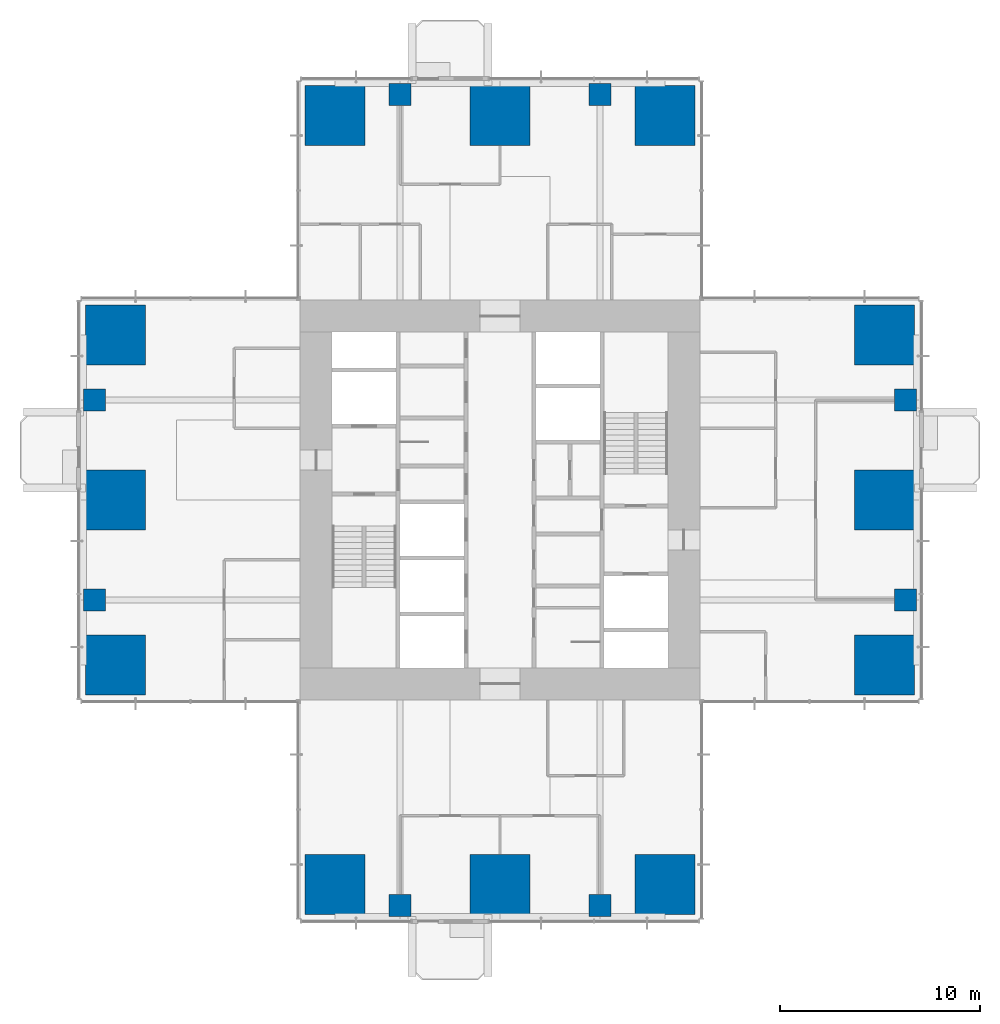
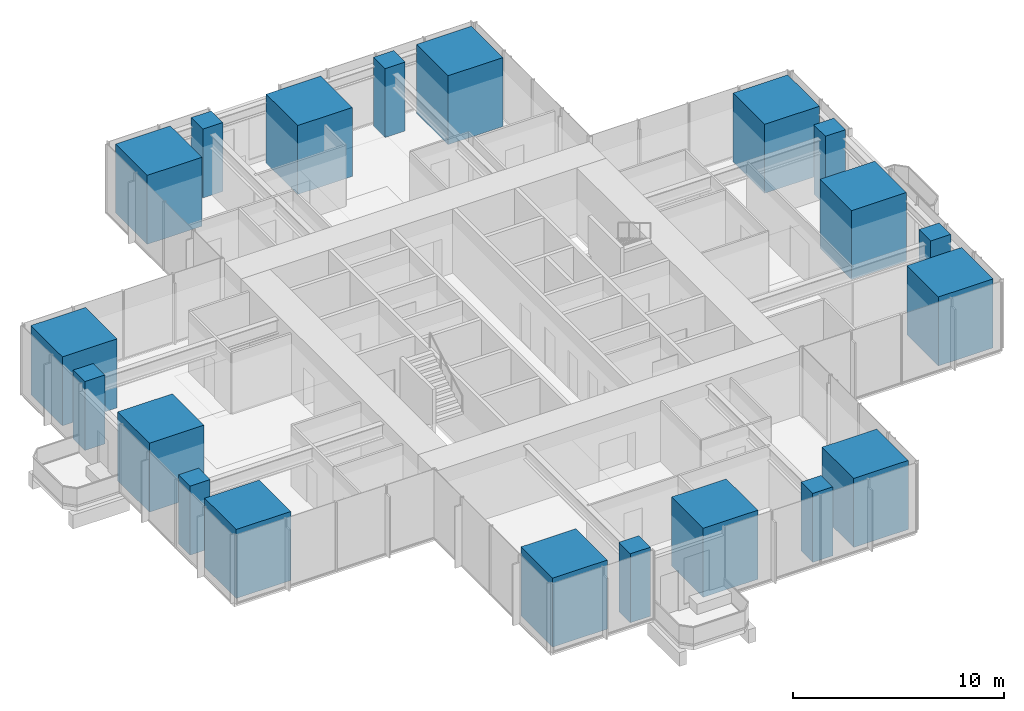
# One storey, part 1 of 13: 20 columns.
"""IFC4 building model written with IfcOpenShell, lengths in metres."""

from ifc_helpers import new_model, si_unit, direction, frame, origin, origin_2d, place, context, subcontext, project, spatial, rectangle, extrude, material, material_profile, profile_set, type_object, element, save


model = new_model("IFC4")

# Units and contexts
model_context = context("Model", 3, precision=1e-05, world=origin(), true_north=direction((0.0, 1.0)))
body_context = subcontext(model_context, "Body", "Model", "MODEL_VIEW")
ifc_project = project(units=[si_unit("LENGTHUNIT", "METRE"), si_unit("AREAUNIT", "SQUARE_METRE"), si_unit("VOLUMEUNIT", "CUBIC_METRE"), si_unit("PLANEANGLEUNIT", "RADIAN"), si_unit("MASSUNIT", "GRAM", prefix="KILO")], contexts=[model_context])

# Site, building, storey
site_placement = place(None, origin())
site = spatial("IfcSite", under=ifc_project, at=site_placement, CompositionType="ELEMENT")
building_placement = place(site_placement, origin())
building = spatial("IfcBuilding", under=site, at=building_placement, Name="Svetlomir Tower", CompositionType="ELEMENT")
storey_placement = place(building_placement, frame((0.0, 0.0, 156.5)))
storey = spatial("IfcBuildingStorey", under=building, at=storey_placement, Name="L37", CompositionType="ELEMENT", Elevation=156.5)

# Columns
ifc_material_1 = material(Name="Concrete C60/75", Category="concrete")
ifc_material_profile_1 = material_profile(ifc_material_1, rectangle(XDim=1.10009765625, YDim=1.10009765625, at=origin_2d()), Name="RC 1100x1100")
ifc_profile_set_1 = profile_set([ifc_material_profile_1], Name="Concrete C60/75")
column_type_1 = type_object("IfcColumnType", Name="COLUMN RC 1100x1100", PredefinedType="COLUMN", material=ifc_profile_set_1)
for number, where, z_axis, x_axis, name in (
    (1, (16.0, 0.699951171875, 0.0), (0.0, 0.0, 1.0), (1.0, 0.0, 0.0), "Column 16/0 L37"),
    (2, (26.0, 0.699951171875, 0.0), (0.0, 0.0, 1.0), (1.0, 0.0, 0.0), "Column 26/0 L37"),
    (3, (0.699951171875, 16.0, 0.0), (0.0, 0.0, 1.0), (1.0, 0.0, 0.0), "Column 0/16 L37"),
    (4, (41.300048828125, 16.0, 0.0), (0.0, 0.0, 1.0), (1.0, 0.0, 0.0), "Column 42/16 L37"),
    (5, (0.699951171875, 26.0, 0.0), (0.0, 0.0, 1.0), (1.0, 0.0, 0.0), "Column 0/26 L37"),
    (6, (41.300048828125, 26.0, 0.0), (0.0, 0.0, 1.0), (1.0, 0.0, 0.0), "Column 42/26 L37"),
    (7, (16.0, 41.300048828125, 0.0), (0.0, 0.0, 1.0), (1.0, 0.0, 0.0), "Column 16/42 L37"),
    (8, (26.0, 41.300048828125, 0.0), (0.0, 0.0, 1.0), (1.0, 0.0, 0.0), "Column 26/42 L37"),
):
    element("IfcColumn", number, at=place(storey_placement, frame(where, z_axis=z_axis, x_axis=x_axis)), inside=storey, type_object=column_type_1, Name=name, PredefinedType="COLUMN", context=body_context, shape_type="SweptSolid", body=[
        extrude(rectangle(XDim=1.10009765625, YDim=1.10009765625, at=origin_2d()), origin(), (0.0, 0.0, 1.0), 4.0),
    ])
ifc_material_2 = material(Name="Concrete C60/75", Category="concrete")
ifc_material_profile_2 = material_profile(ifc_material_2, rectangle(XDim=3.0, YDim=3.0, at=origin_2d()), Name="RC 3000x3000")
ifc_profile_set_2 = profile_set([ifc_material_profile_2], Name="Concrete C60/75")
column_type_2 = type_object("IfcColumnType", Name="COLUMN RC 3000x3000", PredefinedType="COLUMN", material=ifc_profile_set_2)
for number, where, z_axis, x_axis, name in (
    (9, (12.75, 1.75, 0.0), (0.0, 0.0, 1.0), (1.0, 0.0, 0.0), "Column 11/0 L37"),
    (10, (21.0, 1.75, 0.0), (0.0, 0.0, 1.0), (1.0, 0.0, 0.0), "Column 21/0 L37"),
    (11, (29.25, 1.75, 0.0), (0.0, 0.0, 1.0), (1.0, 0.0, 0.0), "Column 31/0 L37"),
    (12, (1.75, 12.75, 0.0), (0.0, 0.0, 1.0), (1.0, 0.0, 0.0), "Column 0/11 L37"),
    (13, (40.25, 12.75, 0.0), (0.0, 0.0, 1.0), (1.0, 0.0, 0.0), "Column 42/11 L37"),
    (14, (1.75, 21.0, 0.0), (0.0, 0.0, 1.0), (1.0, 0.0, 0.0), "Column 0/21 L37"),
    (15, (40.25, 21.0, 0.0), (0.0, 0.0, 1.0), (1.0, 0.0, 0.0), "Column 42/21 L37"),
    (16, (1.75, 29.25, 0.0), (0.0, 0.0, 1.0), (1.0, 0.0, 0.0), "Column 0/31 L37"),
    (17, (40.25, 29.25, 0.0), (0.0, 0.0, 1.0), (1.0, 0.0, 0.0), "Column 42/31 L37"),
    (18, (12.75, 40.25, 0.0), (0.0, 0.0, 1.0), (1.0, 0.0, 0.0), "Column 11/42 L37"),
    (19, (21.0, 40.25, 0.0), (0.0, 0.0, 1.0), (1.0, 0.0, 0.0), "Column 21/42 L37"),
    (20, (29.25, 40.25, 0.0), (0.0, 0.0, 1.0), (1.0, 0.0, 0.0), "Column 31/42 L37"),
):
    element("IfcColumn", number, at=place(storey_placement, frame(where, z_axis=z_axis, x_axis=x_axis)), inside=storey, type_object=column_type_2, Name=name, PredefinedType="COLUMN", context=body_context, shape_type="SweptSolid", body=[
        extrude(rectangle(XDim=3.0, YDim=3.0, at=origin_2d()), origin(), (0.0, 0.0, 1.0), 4.0),
    ])

save(model, "model.ifc")
